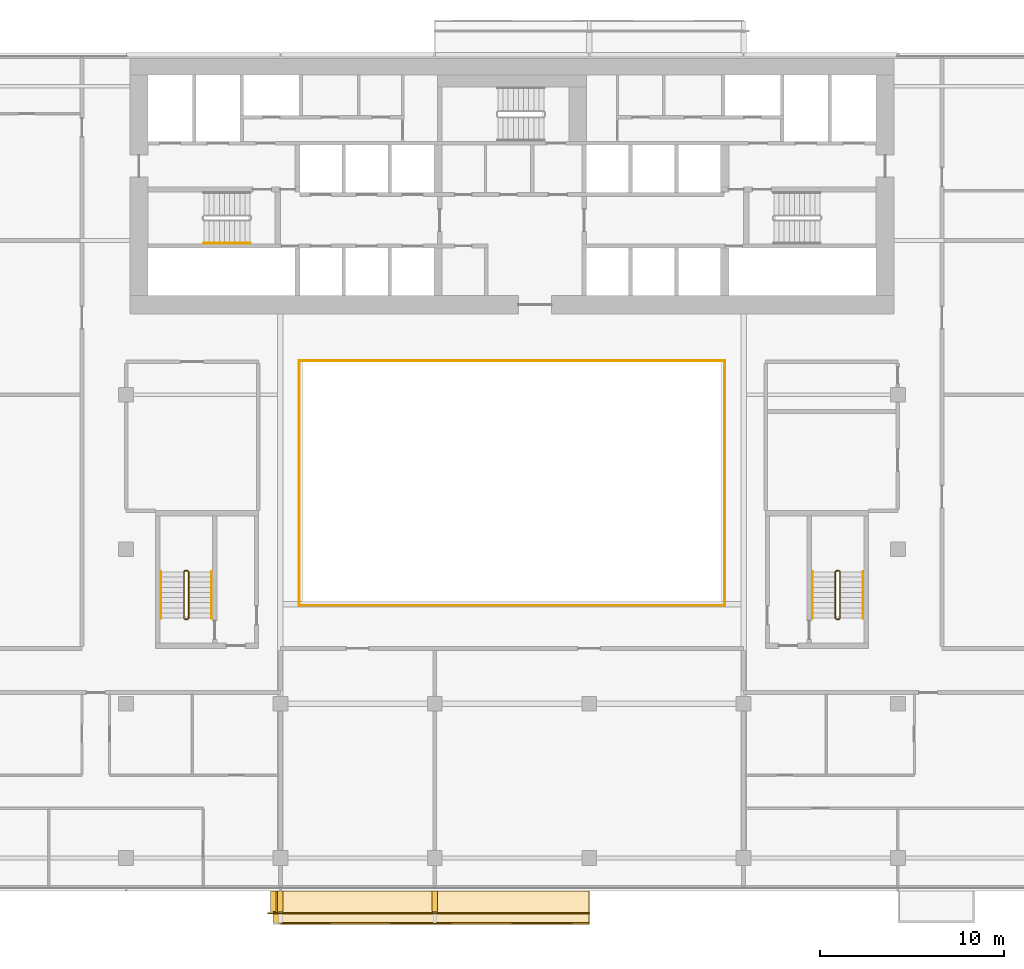
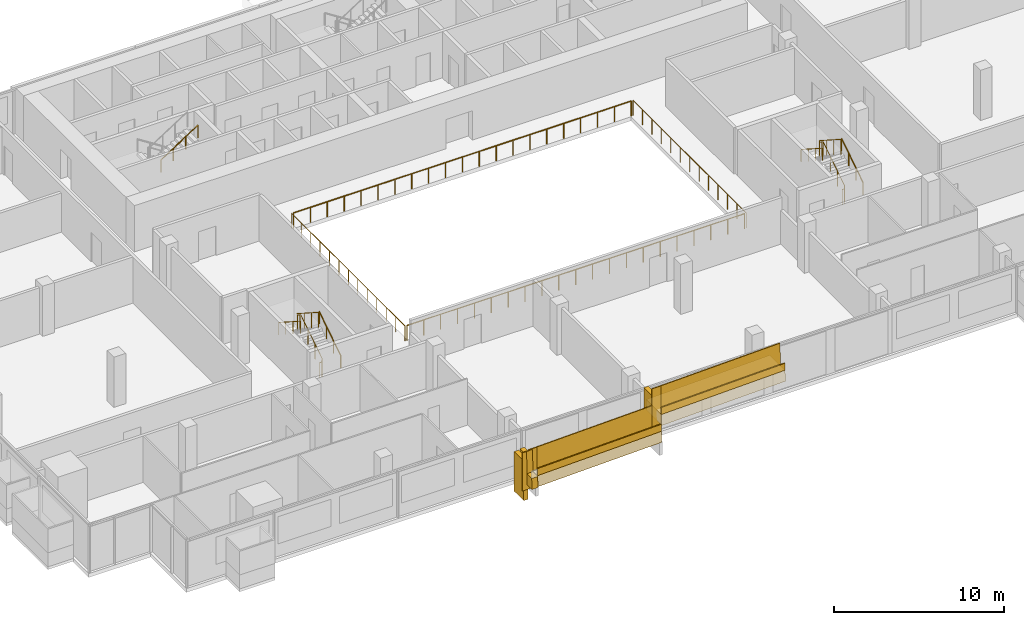
# One storey, part 25 of 26: 17 railings, 8 coverings.
"""IFC4 building model written with IfcOpenShell, lengths in metres."""

from ifc_helpers import new_model, si_unit, direction, frame, origin, origin_2d, place, context, subcontext, project, spatial, polyline, rectangle, circle, outline, extrude, material, layer, layer_set, type_object, element, save


model = new_model("IFC4")

# Units and contexts
model_context = context("Model", 3, precision=1e-05, world=origin(), true_north=direction((0.0, 1.0)))
body_context = subcontext(model_context, "Body", "Model", "MODEL_VIEW")
ifc_project = project(units=[si_unit("LENGTHUNIT", "METRE"), si_unit("AREAUNIT", "SQUARE_METRE"), si_unit("VOLUMEUNIT", "CUBIC_METRE"), si_unit("PLANEANGLEUNIT", "RADIAN"), si_unit("MASSUNIT", "GRAM", prefix="KILO")], contexts=[model_context])

# Site, building, storey
site_placement = place(None, origin())
site = spatial("IfcSite", under=ifc_project, at=site_placement, CompositionType="ELEMENT")
building_placement = place(site_placement, origin())
building = spatial("IfcBuilding", under=site, at=building_placement, Name="Saffron Gate Tower", CompositionType="ELEMENT")
storey_placement = place(building_placement, frame((0.0, 0.0, 98.85009765625)))
storey = spatial("IfcBuildingStorey", under=building, at=storey_placement, Name="L22", CompositionType="ELEMENT", Elevation=98.85009765625)

# Railings
ifc_material_1 = material(Name="Stainless steel and laminated glass", Category="steel")
railing_type_1 = type_object("IfcRailingType", Name="AG1 Atrium edge guard 1100", PredefinedType="GUARDRAIL", material=ifc_material_1)
railing_1_placement = place(storey_placement, frame((76.02001953125, 45.5400390625, 0.0)))
element("IfcRailing", 1, at=railing_1_placement, inside=storey, type_object=railing_type_1, Name="Guard B1-1", PredefinedType="GUARDRAIL", context=body_context, shape_type="SweptSolid", body=[
    extrude(circle(Radius=0.02392578125, at=origin_2d()), frame((0.0, 0.0, 1.076171875), z_axis=(0.0, 1.0, 0.0), x_axis=(-1.0, 0.0, 0.0)), (0.0, 0.0, 1.0), 13.320068359375),
    extrude(circle(Radius=0.02099609375, at=origin_2d()), origin(), (0.0, 0.0, 1.0), 1.052001953125),
    extrude(circle(Radius=0.02099609375, at=origin_2d()), frame((0.0, 1.110107421875, 0.0)), (0.0, 0.0, 1.0), 1.052001953125),
    extrude(circle(Radius=0.02099609375, at=origin_2d()), frame((0.0, 2.219970703125, 0.0)), (0.0, 0.0, 1.0), 1.052001953125),
    extrude(circle(Radius=0.02099609375, at=origin_2d()), frame((0.0, 3.330078125, 0.0)), (0.0, 0.0, 1.0), 1.052001953125),
    extrude(circle(Radius=0.02099609375, at=origin_2d()), frame((0.0, 4.43994140625, 0.0)), (0.0, 0.0, 1.0), 1.052001953125),
    extrude(circle(Radius=0.02099609375, at=origin_2d()), frame((0.0, 5.550048828125, 0.0)), (0.0, 0.0, 1.0), 1.052001953125),
    extrude(circle(Radius=0.02099609375, at=origin_2d()), frame((0.0, 6.66015625, 0.0)), (0.0, 0.0, 1.0), 1.052001953125),
    extrude(circle(Radius=0.02099609375, at=origin_2d()), frame((0.0, 7.77001953125, 0.0)), (0.0, 0.0, 1.0), 1.052001953125),
    extrude(circle(Radius=0.02099609375, at=origin_2d()), frame((0.0, 8.880126953125, 0.0)), (0.0, 0.0, 1.0), 1.052001953125),
    extrude(circle(Radius=0.02099609375, at=origin_2d()), frame((0.0, 9.989990234375, 0.0)), (0.0, 0.0, 1.0), 1.052001953125),
    extrude(circle(Radius=0.02099609375, at=origin_2d()), frame((0.0, 11.10009765625, 0.0)), (0.0, 0.0, 1.0), 1.052001953125),
    extrude(circle(Radius=0.02099609375, at=origin_2d()), frame((0.0, 12.2099609375, 0.0)), (0.0, 0.0, 1.0), 1.052001953125),
    extrude(circle(Radius=0.02099609375, at=origin_2d()), frame((0.0, 13.320068359375, 0.0)), (0.0, 0.0, 1.0), 1.052001953125),
])
railing_2_placement = place(storey_placement, frame((76.139892578125, 58.860107421875, 0.0)))
element("IfcRailing", 2, at=railing_2_placement, inside=storey, type_object=railing_type_1, Name="Guard B1-2", PredefinedType="GUARDRAIL", context=body_context, shape_type="SweptSolid", body=[
    extrude(circle(Radius=0.02392578125, at=origin_2d()), frame((0.0, 0.0, 1.076171875), z_axis=(1.0, 0.0, 0.0), x_axis=(0.0, 1.0, 0.0)), (0.0, 0.0, 1.0), 22.920166015625),
    extrude(circle(Radius=0.02099609375, at=origin_2d()), origin(), (0.0, 0.0, 1.0), 1.052001953125),
    extrude(circle(Radius=0.02099609375, at=origin_2d()), frame((1.14599609375, 0.0, 0.0)), (0.0, 0.0, 1.0), 1.052001953125),
    extrude(circle(Radius=0.02099609375, at=origin_2d()), frame((2.2919921875, 0.0, 0.0)), (0.0, 0.0, 1.0), 1.052001953125),
    extrude(circle(Radius=0.02099609375, at=origin_2d()), frame((3.43798828125, 0.0, 0.0)), (0.0, 0.0, 1.0), 1.052001953125),
    extrude(circle(Radius=0.02099609375, at=origin_2d()), frame((4.583984375, 0.0, 0.0)), (0.0, 0.0, 1.0), 1.052001953125),
    extrude(circle(Radius=0.02099609375, at=origin_2d()), frame((5.72998046875, 0.0, 0.0)), (0.0, 0.0, 1.0), 1.052001953125),
    extrude(circle(Radius=0.02099609375, at=origin_2d()), frame((6.8759765625, 0.0, 0.0)), (0.0, 0.0, 1.0), 1.052001953125),
    extrude(circle(Radius=0.02099609375, at=origin_2d()), frame((8.02197265625, 0.0, 0.0)), (0.0, 0.0, 1.0), 1.052001953125),
    extrude(circle(Radius=0.02099609375, at=origin_2d()), frame((9.16796875, 0.0, 0.0)), (0.0, 0.0, 1.0), 1.052001953125),
    extrude(circle(Radius=0.02099609375, at=origin_2d()), frame((10.31396484375, 0.0, 0.0)), (0.0, 0.0, 1.0), 1.052001953125),
    extrude(circle(Radius=0.02099609375, at=origin_2d()), frame((11.4599609375, 0.0, 0.0)), (0.0, 0.0, 1.0), 1.052001953125),
    extrude(circle(Radius=0.02099609375, at=origin_2d()), frame((12.606201171875, 0.0, 0.0)), (0.0, 0.0, 1.0), 1.052001953125),
    extrude(circle(Radius=0.02099609375, at=origin_2d()), frame((13.752197265625, 0.0, 0.0)), (0.0, 0.0, 1.0), 1.052001953125),
    extrude(circle(Radius=0.02099609375, at=origin_2d()), frame((14.898193359375, 0.0, 0.0)), (0.0, 0.0, 1.0), 1.052001953125),
    extrude(circle(Radius=0.02099609375, at=origin_2d()), frame((16.044189453125, 0.0, 0.0)), (0.0, 0.0, 1.0), 1.052001953125),
    extrude(circle(Radius=0.02099609375, at=origin_2d()), frame((17.190185546875, 0.0, 0.0)), (0.0, 0.0, 1.0), 1.052001953125),
    extrude(circle(Radius=0.02099609375, at=origin_2d()), frame((18.336181640625, 0.0, 0.0)), (0.0, 0.0, 1.0), 1.052001953125),
    extrude(circle(Radius=0.02099609375, at=origin_2d()), frame((19.482177734375, 0.0, 0.0)), (0.0, 0.0, 1.0), 1.052001953125),
    extrude(circle(Radius=0.02099609375, at=origin_2d()), frame((20.628173828125, 0.0, 0.0)), (0.0, 0.0, 1.0), 1.052001953125),
    extrude(circle(Radius=0.02099609375, at=origin_2d()), frame((21.774169921875, 0.0, 0.0)), (0.0, 0.0, 1.0), 1.052001953125),
    extrude(circle(Radius=0.02099609375, at=origin_2d()), frame((22.920166015625, 0.0, 0.0)), (0.0, 0.0, 1.0), 1.052001953125),
])
railing_3_placement = place(storey_placement, frame((99.179931640625, 58.860107421875, 0.0)))
element("IfcRailing", 3, at=railing_3_placement, inside=storey, type_object=railing_type_1, Name="Guard B1-3", PredefinedType="GUARDRAIL", context=body_context, shape_type="SweptSolid", body=[
    extrude(circle(Radius=0.02392578125, at=origin_2d()), frame((0.0, 0.0, 1.076171875), z_axis=(0.0, -1.0, 0.0), x_axis=(1.0, 0.0, 0.0)), (0.0, 0.0, 1.0), 13.320068359375),
    extrude(circle(Radius=0.02099609375, at=origin_2d()), origin(), (0.0, 0.0, 1.0), 1.052001953125),
    extrude(circle(Radius=0.02099609375, at=origin_2d()), frame((0.0, -1.110107421875, 0.0)), (0.0, 0.0, 1.0), 1.052001953125),
    extrude(circle(Radius=0.02099609375, at=origin_2d()), frame((0.0, -2.219970703125, 0.0)), (0.0, 0.0, 1.0), 1.052001953125),
    extrude(circle(Radius=0.02099609375, at=origin_2d()), frame((0.0, -3.330078125, 0.0)), (0.0, 0.0, 1.0), 1.052001953125),
    extrude(circle(Radius=0.02099609375, at=origin_2d()), frame((0.0, -4.43994140625, 0.0)), (0.0, 0.0, 1.0), 1.052001953125),
    extrude(circle(Radius=0.02099609375, at=origin_2d()), frame((0.0, -5.550048828125, 0.0)), (0.0, 0.0, 1.0), 1.052001953125),
    extrude(circle(Radius=0.02099609375, at=origin_2d()), frame((0.0, -6.66015625, 0.0)), (0.0, 0.0, 1.0), 1.052001953125),
    extrude(circle(Radius=0.02099609375, at=origin_2d()), frame((0.0, -7.77001953125, 0.0)), (0.0, 0.0, 1.0), 1.052001953125),
    extrude(circle(Radius=0.02099609375, at=origin_2d()), frame((0.0, -8.880126953125, 0.0)), (0.0, 0.0, 1.0), 1.052001953125),
    extrude(circle(Radius=0.02099609375, at=origin_2d()), frame((0.0, -9.989990234375, 0.0)), (0.0, 0.0, 1.0), 1.052001953125),
    extrude(circle(Radius=0.02099609375, at=origin_2d()), frame((0.0, -11.10009765625, 0.0)), (0.0, 0.0, 1.0), 1.052001953125),
    extrude(circle(Radius=0.02099609375, at=origin_2d()), frame((0.0, -12.2099609375, 0.0)), (0.0, 0.0, 1.0), 1.052001953125),
    extrude(circle(Radius=0.02099609375, at=origin_2d()), frame((0.0, -13.320068359375, 0.0)), (0.0, 0.0, 1.0), 1.052001953125),
])
railing_4_placement = place(storey_placement, frame((99.06005859375, 45.5400390625, 0.0)))
element("IfcRailing", 4, at=railing_4_placement, inside=storey, type_object=railing_type_1, Name="Guard B1-4", PredefinedType="GUARDRAIL", context=body_context, shape_type="SweptSolid", body=[
    extrude(circle(Radius=0.02392578125, at=origin_2d()), frame((0.0, 0.0, 1.076171875), z_axis=(-1.0, 0.0, 0.0), x_axis=(0.0, -1.0, 0.0)), (0.0, 0.0, 1.0), 22.920166015625),
    extrude(circle(Radius=0.02099609375, at=origin_2d()), origin(), (0.0, 0.0, 1.0), 1.052001953125),
    extrude(circle(Radius=0.02099609375, at=origin_2d()), frame((-1.14599609375, 0.0, 0.0)), (0.0, 0.0, 1.0), 1.052001953125),
    extrude(circle(Radius=0.02099609375, at=origin_2d()), frame((-2.2919921875, 0.0, 0.0)), (0.0, 0.0, 1.0), 1.052001953125),
    extrude(circle(Radius=0.02099609375, at=origin_2d()), frame((-3.43798828125, 0.0, 0.0)), (0.0, 0.0, 1.0), 1.052001953125),
    extrude(circle(Radius=0.02099609375, at=origin_2d()), frame((-4.583984375, 0.0, 0.0)), (0.0, 0.0, 1.0), 1.052001953125),
    extrude(circle(Radius=0.02099609375, at=origin_2d()), frame((-5.72998046875, 0.0, 0.0)), (0.0, 0.0, 1.0), 1.052001953125),
    extrude(circle(Radius=0.02099609375, at=origin_2d()), frame((-6.8759765625, 0.0, 0.0)), (0.0, 0.0, 1.0), 1.052001953125),
    extrude(circle(Radius=0.02099609375, at=origin_2d()), frame((-8.02197265625, 0.0, 0.0)), (0.0, 0.0, 1.0), 1.052001953125),
    extrude(circle(Radius=0.02099609375, at=origin_2d()), frame((-9.16796875, 0.0, 0.0)), (0.0, 0.0, 1.0), 1.052001953125),
    extrude(circle(Radius=0.02099609375, at=origin_2d()), frame((-10.31396484375, 0.0, 0.0)), (0.0, 0.0, 1.0), 1.052001953125),
    extrude(circle(Radius=0.02099609375, at=origin_2d()), frame((-11.4599609375, 0.0, 0.0)), (0.0, 0.0, 1.0), 1.052001953125),
    extrude(circle(Radius=0.02099609375, at=origin_2d()), frame((-12.606201171875, 0.0, 0.0)), (0.0, 0.0, 1.0), 1.052001953125),
    extrude(circle(Radius=0.02099609375, at=origin_2d()), frame((-13.752197265625, 0.0, 0.0)), (0.0, 0.0, 1.0), 1.052001953125),
    extrude(circle(Radius=0.02099609375, at=origin_2d()), frame((-14.898193359375, 0.0, 0.0)), (0.0, 0.0, 1.0), 1.052001953125),
    extrude(circle(Radius=0.02099609375, at=origin_2d()), frame((-16.044189453125, 0.0, 0.0)), (0.0, 0.0, 1.0), 1.052001953125),
    extrude(circle(Radius=0.02099609375, at=origin_2d()), frame((-17.190185546875, 0.0, 0.0)), (0.0, 0.0, 1.0), 1.052001953125),
    extrude(circle(Radius=0.02099609375, at=origin_2d()), frame((-18.336181640625, 0.0, 0.0)), (0.0, 0.0, 1.0), 1.052001953125),
    extrude(circle(Radius=0.02099609375, at=origin_2d()), frame((-19.482177734375, 0.0, 0.0)), (0.0, 0.0, 1.0), 1.052001953125),
    extrude(circle(Radius=0.02099609375, at=origin_2d()), frame((-20.628173828125, 0.0, 0.0)), (0.0, 0.0, 1.0), 1.052001953125),
    extrude(circle(Radius=0.02099609375, at=origin_2d()), frame((-21.774169921875, 0.0, 0.0)), (0.0, 0.0, 1.0), 1.052001953125),
    extrude(circle(Radius=0.02099609375, at=origin_2d()), frame((-22.920166015625, 0.0, 0.0)), (0.0, 0.0, 1.0), 1.052001953125),
])
railing_type_2 = type_object("IfcRailingType", Name="CR1 Stair guard 1100", PredefinedType="GUARDRAIL", material=ifc_material_1)
railing_5_placement = place(storey_placement, frame((69.800048828125, 44.800048828125, 0.0)))
element("IfcRailing", 5, at=railing_5_placement, inside=storey, type_object=railing_type_2, Name="L22 ST-D stair guard 1", PredefinedType="GUARDRAIL", context=body_context, shape_type="SweptSolid", body=[
    extrude(circle(Radius=0.02392578125, at=origin_2d()), frame((0.0, 0.0, 1.076171875), z_axis=(1.0, 0.0, 0.0), x_axis=(0.0, 1.0, 0.0)), (0.0, 0.0, 1.0), 0.14990234375),
    extrude(circle(Radius=0.02392578125, at=origin_2d()), frame((0.14990234375, 0.0, 1.076171875), z_axis=(0.258847668887, 0.258847668887, 0.930588936439), x_axis=(-0.707106781187, 0.707106781187, 0.0)), (0.0, 0.0, 1.0), 0.193359375),
    extrude(circle(Radius=0.02392578125, at=origin_2d()), frame((0.199951171875, 0.050048828125, 1.255859375), z_axis=(0.0, 0.841199657755, 0.540724639528), x_axis=(-1.0, 0.0, 0.0)), (0.0, 0.0, 1.0), 2.995849609375),
    extrude(circle(Radius=0.02392578125, at=origin_2d()), frame((0.199951171875, 2.570068359375, 2.8759765625), z_axis=(-0.708833529934, 0.705375805398, 0.0), x_axis=(-0.705375805398, -0.708833529934, 0.0)), (0.0, 0.0, 1.0), 0.070556640625),
    extrude(circle(Radius=0.02392578125, at=origin_2d()), frame((0.14990234375, 2.619873046875, 2.8759765625), z_axis=(-1.0, 0.0, 0.0), x_axis=(0.0, -1.0, 0.0)), (0.0, 0.0, 1.0), 0.14990234375),
    extrude(circle(Radius=0.02392578125, at=origin_2d()), frame((0.0, 2.619873046875, 2.8759765625), z_axis=(-0.258627984543, -0.257366384619, 0.931060744355), x_axis=(0.705375805398, -0.708833529934, 0.0)), (0.0, 0.0, 1.0), 0.193603515625),
    extrude(circle(Radius=0.02392578125, at=origin_2d()), frame((-0.050048828125, 2.570068359375, 3.05615234375), z_axis=(0.0, -0.841199657755, 0.540724639528), x_axis=(1.0, 0.0, 0.0)), (0.0, 0.0, 1.0), 2.995849609375),
    extrude(circle(Radius=0.02099609375, at=origin_2d()), origin(), (0.0, 0.0, 1.0), 1.052001953125),
    extrude(circle(Radius=0.02099609375, at=origin_2d()), frame((0.14990234375, 0.0, 0.0)), (0.0, 0.0, 1.0), 1.052001953125),
    extrude(circle(Radius=0.02099609375, at=origin_2d()), frame((0.199951171875, 0.050048828125, 0.179931640625)), (0.0, 0.0, 1.0), 1.052001953125),
    extrude(circle(Radius=0.02099609375, at=origin_2d()), frame((0.199951171875, 0.89013671875, 0.719970703125)), (0.0, 0.0, 1.0), 1.052001953125),
    extrude(circle(Radius=0.02099609375, at=origin_2d()), frame((0.199951171875, 1.72998046875, 1.259765625)), (0.0, 0.0, 1.0), 1.052001953125),
    extrude(circle(Radius=0.02099609375, at=origin_2d()), frame((0.199951171875, 2.570068359375, 1.7998046875)), (0.0, 0.0, 1.0), 1.052001953125),
    extrude(circle(Radius=0.02099609375, at=origin_2d()), frame((0.14990234375, 2.619873046875, 1.7998046875)), (0.0, 0.0, 1.0), 1.052001953125),
    extrude(circle(Radius=0.02099609375, at=origin_2d()), frame((0.0, 2.619873046875, 1.7998046875)), (0.0, 0.0, 1.0), 1.052001953125),
    extrude(circle(Radius=0.02099609375, at=origin_2d()), frame((-0.050048828125, 2.570068359375, 1.97998046875)), (0.0, 0.0, 1.0), 1.052001953125),
    extrude(circle(Radius=0.02099609375, at=origin_2d()), frame((-0.050048828125, 1.72998046875, 2.52001953125)), (0.0, 0.0, 1.0), 1.052001953125),
    extrude(circle(Radius=0.02099609375, at=origin_2d()), frame((-0.050048828125, 0.89013671875, 3.059814453125)), (0.0, 0.0, 1.0), 1.052001953125),
    extrude(circle(Radius=0.02099609375, at=origin_2d()), frame((-0.050048828125, 0.050048828125, 3.599853515625)), (0.0, 0.0, 1.0), 1.052001953125),
])
railing_6_placement = place(storey_placement, frame((105.25, 44.800048828125, 0.0)))
element("IfcRailing", 6, at=railing_6_placement, inside=storey, type_object=railing_type_2, Name="L22 ST-E stair guard 1", PredefinedType="GUARDRAIL", context=body_context, shape_type="SweptSolid", body=[
    extrude(circle(Radius=0.02392578125, at=origin_2d()), frame((0.0, 0.0, 1.076171875), z_axis=(1.0, 0.0, 0.0), x_axis=(0.0, 1.0, 0.0)), (0.0, 0.0, 1.0), 0.14990234375),
    extrude(circle(Radius=0.02392578125, at=origin_2d()), frame((0.14990234375, 0.0, 1.076171875), z_axis=(0.258847668887, 0.258847668887, 0.930588936439), x_axis=(-0.707106781187, 0.707106781187, 0.0)), (0.0, 0.0, 1.0), 0.193359375),
    extrude(circle(Radius=0.02392578125, at=origin_2d()), frame((0.199951171875, 0.050048828125, 1.255859375), z_axis=(0.0, 0.841199657755, 0.540724639528), x_axis=(-1.0, 0.0, 0.0)), (0.0, 0.0, 1.0), 2.995849609375),
    extrude(circle(Radius=0.02392578125, at=origin_2d()), frame((0.199951171875, 2.570068359375, 2.8759765625), z_axis=(-0.708833529934, 0.705375805398, 0.0), x_axis=(-0.705375805398, -0.708833529934, 0.0)), (0.0, 0.0, 1.0), 0.070556640625),
    extrude(circle(Radius=0.02392578125, at=origin_2d()), frame((0.14990234375, 2.619873046875, 2.8759765625), z_axis=(-1.0, 0.0, 0.0), x_axis=(0.0, -1.0, 0.0)), (0.0, 0.0, 1.0), 0.14990234375),
    extrude(circle(Radius=0.02392578125, at=origin_2d()), frame((0.0, 2.619873046875, 2.8759765625), z_axis=(-0.258627984543, -0.257366384619, 0.931060744355), x_axis=(0.705375805398, -0.708833529934, 0.0)), (0.0, 0.0, 1.0), 0.193603515625),
    extrude(circle(Radius=0.02392578125, at=origin_2d()), frame((-0.050048828125, 2.570068359375, 3.05615234375), z_axis=(0.0, -0.841199657755, 0.540724639528), x_axis=(1.0, 0.0, 0.0)), (0.0, 0.0, 1.0), 2.995849609375),
    extrude(circle(Radius=0.02099609375, at=origin_2d()), origin(), (0.0, 0.0, 1.0), 1.052001953125),
    extrude(circle(Radius=0.02099609375, at=origin_2d()), frame((0.14990234375, 0.0, 0.0)), (0.0, 0.0, 1.0), 1.052001953125),
    extrude(circle(Radius=0.02099609375, at=origin_2d()), frame((0.199951171875, 0.050048828125, 0.179931640625)), (0.0, 0.0, 1.0), 1.052001953125),
    extrude(circle(Radius=0.02099609375, at=origin_2d()), frame((0.199951171875, 0.89013671875, 0.719970703125)), (0.0, 0.0, 1.0), 1.052001953125),
    extrude(circle(Radius=0.02099609375, at=origin_2d()), frame((0.199951171875, 1.72998046875, 1.259765625)), (0.0, 0.0, 1.0), 1.052001953125),
    extrude(circle(Radius=0.02099609375, at=origin_2d()), frame((0.199951171875, 2.570068359375, 1.7998046875)), (0.0, 0.0, 1.0), 1.052001953125),
    extrude(circle(Radius=0.02099609375, at=origin_2d()), frame((0.14990234375, 2.619873046875, 1.7998046875)), (0.0, 0.0, 1.0), 1.052001953125),
    extrude(circle(Radius=0.02099609375, at=origin_2d()), frame((0.0, 2.619873046875, 1.7998046875)), (0.0, 0.0, 1.0), 1.052001953125),
    extrude(circle(Radius=0.02099609375, at=origin_2d()), frame((-0.050048828125, 2.570068359375, 1.97998046875)), (0.0, 0.0, 1.0), 1.052001953125),
    extrude(circle(Radius=0.02099609375, at=origin_2d()), frame((-0.050048828125, 1.72998046875, 2.52001953125)), (0.0, 0.0, 1.0), 1.052001953125),
    extrude(circle(Radius=0.02099609375, at=origin_2d()), frame((-0.050048828125, 0.89013671875, 3.059814453125)), (0.0, 0.0, 1.0), 1.052001953125),
    extrude(circle(Radius=0.02099609375, at=origin_2d()), frame((-0.050048828125, 0.050048828125, 3.599853515625)), (0.0, 0.0, 1.0), 1.052001953125),
])
ifc_material_2 = material(Name="Stainless steel", Category="steel")
railing_type_3 = type_object("IfcRailingType", Name="CR2 Stair handrail 900", PredefinedType="HANDRAIL", material=ifc_material_2)
railing_7_placement = place(storey_placement, frame((70.830078125, 65.25, 1.97998046875)))
element("IfcRailing", 7, at=railing_7_placement, inside=storey, type_object=railing_type_3, Name="L22 ST-A stair handrail 2", PredefinedType="HANDRAIL", context=body_context, shape_type="SweptSolid", body=[
    extrude(circle(Radius=0.02392578125, at=origin_2d()), frame((0.0, 0.0, 0.8759765625), z_axis=(0.841199657755, 0.0, 0.540724639528), x_axis=(0.0, 1.0, 0.0)), (0.0, 0.0, 1.0), 2.995849609375),
    extrude(circle(Radius=0.02099609375, at=origin_2d()), origin(), (0.0, 0.0, 1.0), 0.851806640625),
    extrude(circle(Radius=0.02099609375, at=origin_2d()), frame((0.840087890625, 0.0, 0.5400390625)), (0.0, 0.0, 1.0), 0.851806640625),
    extrude(circle(Radius=0.02099609375, at=origin_2d()), frame((1.679931640625, 0.0, 1.079833984375)), (0.0, 0.0, 1.0), 0.851806640625),
    extrude(circle(Radius=0.02099609375, at=origin_2d()), frame((2.52001953125, 0.0, 1.619873046875)), (0.0, 0.0, 1.0), 0.851806640625),
])
railing_8_placement = place(storey_placement, frame((71.25, 44.85009765625, 0.179931640625)))
element("IfcRailing", 8, at=railing_8_placement, inside=storey, type_object=railing_type_3, Name="L22 ST-D stair handrail 1", PredefinedType="HANDRAIL", context=body_context, shape_type="SweptSolid", body=[
    extrude(circle(Radius=0.02392578125, at=origin_2d()), frame((0.0, 0.0, 0.8759765625), z_axis=(0.0, 0.841199657755, 0.540724639528), x_axis=(-1.0, 0.0, 0.0)), (0.0, 0.0, 1.0), 2.995849609375),
    extrude(circle(Radius=0.02099609375, at=origin_2d()), origin(), (0.0, 0.0, 1.0), 0.851806640625),
    extrude(circle(Radius=0.02099609375, at=origin_2d()), frame((0.0, 0.840087890625, 0.5400390625)), (0.0, 0.0, 1.0), 0.851806640625),
    extrude(circle(Radius=0.02099609375, at=origin_2d()), frame((0.0, 1.679931640625, 1.079833984375)), (0.0, 0.0, 1.0), 0.851806640625),
    extrude(circle(Radius=0.02099609375, at=origin_2d()), frame((0.0, 2.52001953125, 1.619873046875)), (0.0, 0.0, 1.0), 0.851806640625),
])
railing_9_placement = place(storey_placement, frame((68.5, 47.3701171875, 1.97998046875)))
element("IfcRailing", 9, at=railing_9_placement, inside=storey, type_object=railing_type_3, Name="L22 ST-D stair handrail 2", PredefinedType="HANDRAIL", context=body_context, shape_type="SweptSolid", body=[
    extrude(circle(Radius=0.02392578125, at=origin_2d()), frame((0.0, 0.0, 0.8759765625), z_axis=(0.0, -0.841199657755, 0.540724639528), x_axis=(1.0, 0.0, 0.0)), (0.0, 0.0, 1.0), 2.995849609375),
    extrude(circle(Radius=0.02099609375, at=origin_2d()), origin(), (0.0, 0.0, 1.0), 0.851806640625),
    extrude(circle(Radius=0.02099609375, at=origin_2d()), frame((0.0, -0.840087890625, 0.5400390625)), (0.0, 0.0, 1.0), 0.851806640625),
    extrude(circle(Radius=0.02099609375, at=origin_2d()), frame((0.0, -1.679931640625, 1.079833984375)), (0.0, 0.0, 1.0), 0.851806640625),
    extrude(circle(Radius=0.02099609375, at=origin_2d()), frame((0.0, -2.52001953125, 1.619873046875)), (0.0, 0.0, 1.0), 0.851806640625),
])
railing_10_placement = place(storey_placement, frame((106.699951171875, 44.85009765625, 0.179931640625)))
element("IfcRailing", 10, at=railing_10_placement, inside=storey, type_object=railing_type_3, Name="L22 ST-E stair handrail 1", PredefinedType="HANDRAIL", context=body_context, shape_type="SweptSolid", body=[
    extrude(circle(Radius=0.02392578125, at=origin_2d()), frame((0.0, 0.0, 0.8759765625), z_axis=(0.0, 0.841199657755, 0.540724639528), x_axis=(-1.0, 0.0, 0.0)), (0.0, 0.0, 1.0), 2.995849609375),
    extrude(circle(Radius=0.02099609375, at=origin_2d()), origin(), (0.0, 0.0, 1.0), 0.851806640625),
    extrude(circle(Radius=0.02099609375, at=origin_2d()), frame((0.0, 0.840087890625, 0.5400390625)), (0.0, 0.0, 1.0), 0.851806640625),
    extrude(circle(Radius=0.02099609375, at=origin_2d()), frame((0.0, 1.679931640625, 1.079833984375)), (0.0, 0.0, 1.0), 0.851806640625),
    extrude(circle(Radius=0.02099609375, at=origin_2d()), frame((0.0, 2.52001953125, 1.619873046875)), (0.0, 0.0, 1.0), 0.851806640625),
])
railing_11_placement = place(storey_placement, frame((103.949951171875, 47.3701171875, 1.97998046875)))
element("IfcRailing", 11, at=railing_11_placement, inside=storey, type_object=railing_type_3, Name="L22 ST-E stair handrail 2", PredefinedType="HANDRAIL", context=body_context, shape_type="SweptSolid", body=[
    extrude(circle(Radius=0.02392578125, at=origin_2d()), frame((0.0, 0.0, 0.8759765625), z_axis=(0.0, -0.841199657755, 0.540724639528), x_axis=(1.0, 0.0, 0.0)), (0.0, 0.0, 1.0), 2.995849609375),
    extrude(circle(Radius=0.02099609375, at=origin_2d()), origin(), (0.0, 0.0, 1.0), 0.851806640625),
    extrude(circle(Radius=0.02099609375, at=origin_2d()), frame((0.0, -0.840087890625, 0.5400390625)), (0.0, 0.0, 1.0), 0.851806640625),
    extrude(circle(Radius=0.02099609375, at=origin_2d()), frame((0.0, -1.679931640625, 1.079833984375)), (0.0, 0.0, 1.0), 0.851806640625),
    extrude(circle(Radius=0.02099609375, at=origin_2d()), frame((0.0, -2.52001953125, 1.619873046875)), (0.0, 0.0, 1.0), 0.851806640625),
])

# Coverings
ifc_material_3 = material(Name="Timber, thermally modified ash", Category="wood")
ifc_layer_1 = layer(ifc_material_3, 0.800048828125)
ifc_layer_set_1 = layer_set([ifc_layer_1], Name="LD1 ledge timber")
covering_type_1 = type_object("IfcCoveringType", Name="LD1 ledge timber", PredefinedType="CLADDING", material=ifc_layer_set_1)
covering_1_placement = place(storey_placement, frame((74.60009765625, 30.0, 1.146240234375), z_axis=(-0.028681724025, 0.0, 0.999588594726), x_axis=(0.999588594726, 0.0, 0.028681724025)))
element("IfcCovering", 12, at=covering_1_placement, inside=storey, type_object=covering_type_1, Name="LEDGE", PredefinedType="CLADDING", context=body_context, shape_type="SweptSolid", body=[
    extrude(outline(polyline([(0.0, 0.0), (0.40006693339621563, 0.0), (0.40006693339621563, -1.8000488281250004), (0.0, -1.8000488281250004), (0.0, 0.0)])), origin(), (0.0, 0.0, -1.0), 0.800048828125),
])
covering_2_placement = place(storey_placement, frame((75.0, 30.0, 1.21484375), z_axis=(-0.028791175352, 0.0, 0.999585448184), x_axis=(0.999585448184, 0.0, 0.028791175352)))
element("IfcCovering", 13, at=covering_2_placement, inside=storey, type_object=covering_type_1, Name="LEDGE", PredefinedType="CLADDING", context=body_context, shape_type="SweptSolid", body=[
    extrude(outline(polyline([(0.0, 0.0), (8.403385982666892, 0.0), (8.403385982666892, -1.800048828125), (0.0, -1.800048828125), (0.0, 0.0)])), origin(), (0.0, 0.0, -1.0), 0.800048828125),
])
covering_3_placement = place(storey_placement, frame((83.39990234375, 30.0, 2.6572265625), z_axis=(-0.028790339263, 0.0, 0.999585472266), x_axis=(0.999585472266, 0.0, 0.028790339263)))
element("IfcCovering", 14, at=covering_3_placement, inside=storey, type_object=covering_type_1, Name="LEDGE", PredefinedType="CLADDING", context=body_context, shape_type="SweptSolid", body=[
    extrude(outline(polyline([(0.0, 0.0), (8.403630022085892, 0.0), (8.403630022085892, -1.800048828125), (0.0, -1.800048828125), (0.0, 0.0)])), origin(), (0.0, 0.0, -1.0), 0.800048828125),
])
ifc_layer_2 = layer(ifc_material_3, 0.080078125)
ifc_layer_set_2 = layer_set([ifc_layer_2], Name="LD2 ledge planter trough")
covering_type_2 = type_object("IfcCoveringType", Name="LD2 ledge planter trough", PredefinedType="CLADDING", material=ifc_layer_set_2)
covering_4_placement = place(storey_placement, frame((75.0, 28.199951171875, 1.21484375), z_axis=(0.0, -1.0, 0.0), x_axis=(0.999585448184, 0.0, 0.028791175352)))
element("IfcCovering", 15, at=covering_4_placement, inside=storey, type_object=covering_type_2, Name="LEDGE planter trough", PredefinedType="CLADDING", context=body_context, shape_type="SweptSolid", body=[
    extrude(outline(polyline([(0.0, 0.0), (8.403385982666892, 0.0), (8.417781570342743, 0.49979272409216496), (0.014395587675851172, 0.4997927240921649), (0.0, 0.0)])), origin(), (0.0, 0.0, -1.0), 0.080078125),
])
covering_5_placement = place(storey_placement, frame((83.39990234375, 28.199951171875, 2.6572265625), z_axis=(0.0, -1.0, 0.0), x_axis=(0.999585472266, 0.0, 0.028790339263)))
element("IfcCovering", 16, at=covering_5_placement, inside=storey, type_object=covering_type_2, Name="LEDGE planter trough", PredefinedType="CLADDING", context=body_context, shape_type="SweptSolid", body=[
    extrude(outline(polyline([(0.0, 0.0), (8.403630022085892, 0.0), (8.418025191717298, 0.4997927361329725), (0.014395169631405694, 0.4997927361329725), (0.0, 0.0)])), origin(), (0.0, 0.0, -1.0), 0.080078125),
])
ifc_layer_3 = layer(ifc_material_3, 0.300048828125)
ifc_layer_set_3 = layer_set([ifc_layer_3], Name="LD3 ledge riser fin")
covering_type_3 = type_object("IfcCoveringType", Name="LD3 ledge riser fin", PredefinedType="CLADDING", material=ifc_layer_set_3)
covering_6_placement = place(storey_placement, frame((74.60009765625, 29.43994140625, -0.797119140625), z_axis=(0.0, 0.0, 1.0), x_axis=(1.0, 0.0, 0.0)))
element("IfcCovering", 17, at=covering_6_placement, inside=storey, type_object=covering_type_3, Name="LEDGE riser fin", PredefinedType="CLADDING", context=body_context, shape_type="SweptSolid", body=[
    extrude(rectangle(XDim=0.300048828125, YDim=1.1201171875, at=origin_2d()), origin(), (0.0, 0.0, 1.0), 2.84326171875),
])
covering_7_placement = place(storey_placement, frame((75.0, 29.43994140625, 0.35791015625), z_axis=(0.0, 0.0, 1.0), x_axis=(1.0, 0.0, 0.0)))
element("IfcCovering", 18, at=covering_7_placement, inside=storey, type_object=covering_type_3, Name="LEDGE riser fin", PredefinedType="CLADDING", context=body_context, shape_type="SweptSolid", body=[
    extrude(rectangle(XDim=0.300048828125, YDim=1.1201171875, at=origin_2d()), origin(), (0.0, 0.0, 1.0), 1.757080078125),
])
covering_8_placement = place(storey_placement, frame((83.39990234375, 29.43994140625, 0.65673828125), z_axis=(0.0, 0.0, 1.0), x_axis=(1.0, 0.0, 0.0)))
element("IfcCovering", 19, at=covering_8_placement, inside=storey, type_object=covering_type_3, Name="LEDGE riser fin", PredefinedType="CLADDING", context=body_context, shape_type="SweptSolid", body=[
    extrude(rectangle(XDim=0.300048828125, YDim=1.1201171875, at=origin_2d()), origin(), (0.0, 0.0, 1.0), 2.900390625),
])

# Railings
railing_type_4 = type_object("IfcRailingType", Name="LG1 ledge balustrade", PredefinedType="BALUSTRADE", material=ifc_material_3)
railing_12_placement = place(storey_placement, frame((74.60009765625, 28.800048828125, 1.146240234375)))
element("IfcRailing", 20, at=railing_12_placement, inside=storey, type_object=railing_type_4, Name="LEDGE BALUSTRADE", PredefinedType="BALUSTRADE", context=body_context, shape_type="SweptSolid", body=[
    extrude(rectangle(XDim=0.06005859375, YDim=1.60009765625, at=origin_2d()), frame((0.0, 0.0, 0.800048828125), z_axis=(0.999588594726, 0.0, 0.028681724025), x_axis=(0.0, 1.0, 0.0)), (0.0, 0.0, 1.0), 0.400146484375),
])
railing_13_placement = place(storey_placement, frame((74.300048828125, 28.800048828125, 0.0029296875)))
element("IfcRailing", 21, at=railing_13_placement, inside=storey, type_object=railing_type_4, Name="LEDGE BALUSTRADE", PredefinedType="BALUSTRADE", context=body_context, shape_type="SweptSolid", body=[
    extrude(rectangle(XDim=0.06005859375, YDim=2.7431640625, at=origin_2d()), frame((0.0, 0.0, 1.37158203125), z_axis=(1.0, 0.0, 0.0), x_axis=(0.0, 1.0, 0.0)), (0.0, 0.0, 1.0), 0.599853515625),
])
railing_14_placement = place(storey_placement, frame((75.0, 28.800048828125, 1.21484375)))
element("IfcRailing", 22, at=railing_14_placement, inside=storey, type_object=railing_type_4, Name="LEDGE BALUSTRADE", PredefinedType="BALUSTRADE", context=body_context, shape_type="SweptSolid", body=[
    extrude(rectangle(XDim=0.06005859375, YDim=1.60009765625, at=origin_2d()), frame((0.0, 0.0, 0.800048828125), z_axis=(0.999585448184, 0.0, 0.028791175352), x_axis=(0.0, 1.0, 0.0)), (0.0, 0.0, 1.0), 8.4033203125),
])
railing_15_placement = place(storey_placement, frame((74.699951171875, 28.800048828125, 1.15771484375)))
element("IfcRailing", 23, at=railing_15_placement, inside=storey, type_object=railing_type_4, Name="LEDGE BALUSTRADE", PredefinedType="BALUSTRADE", context=body_context, shape_type="SweptSolid", body=[
    extrude(rectangle(XDim=0.06005859375, YDim=1.6572265625, at=origin_2d()), frame((0.0, 0.0, 0.82861328125), z_axis=(1.0, 0.0, 0.0), x_axis=(0.0, 1.0, 0.0)), (0.0, 0.0, 1.0), 0.60009765625),
])
railing_16_placement = place(storey_placement, frame((83.39990234375, 28.800048828125, 2.6572265625)))
element("IfcRailing", 24, at=railing_16_placement, inside=storey, type_object=railing_type_4, Name="LEDGE BALUSTRADE", PredefinedType="BALUSTRADE", context=body_context, shape_type="SweptSolid", body=[
    extrude(rectangle(XDim=0.06005859375, YDim=1.60009765625, at=origin_2d()), frame((0.0, 0.0, 0.800048828125), z_axis=(0.999585472266, 0.0, 0.028790339263), x_axis=(0.0, 1.0, 0.0)), (0.0, 0.0, 1.0), 8.403564453125),
])
railing_17_placement = place(storey_placement, frame((83.10009765625, 28.800048828125, 1.456787109375)))
element("IfcRailing", 25, at=railing_17_placement, inside=storey, type_object=railing_type_4, Name="LEDGE BALUSTRADE", PredefinedType="BALUSTRADE", context=body_context, shape_type="SweptSolid", body=[
    extrude(rectangle(XDim=0.06005859375, YDim=2.80029296875, at=origin_2d()), frame((0.0, 0.0, 1.400146484375), z_axis=(1.0, 0.0, 0.0), x_axis=(0.0, 1.0, 0.0)), (0.0, 0.0, 1.0), 0.599853515625),
])

save(model, "model.ifc")
